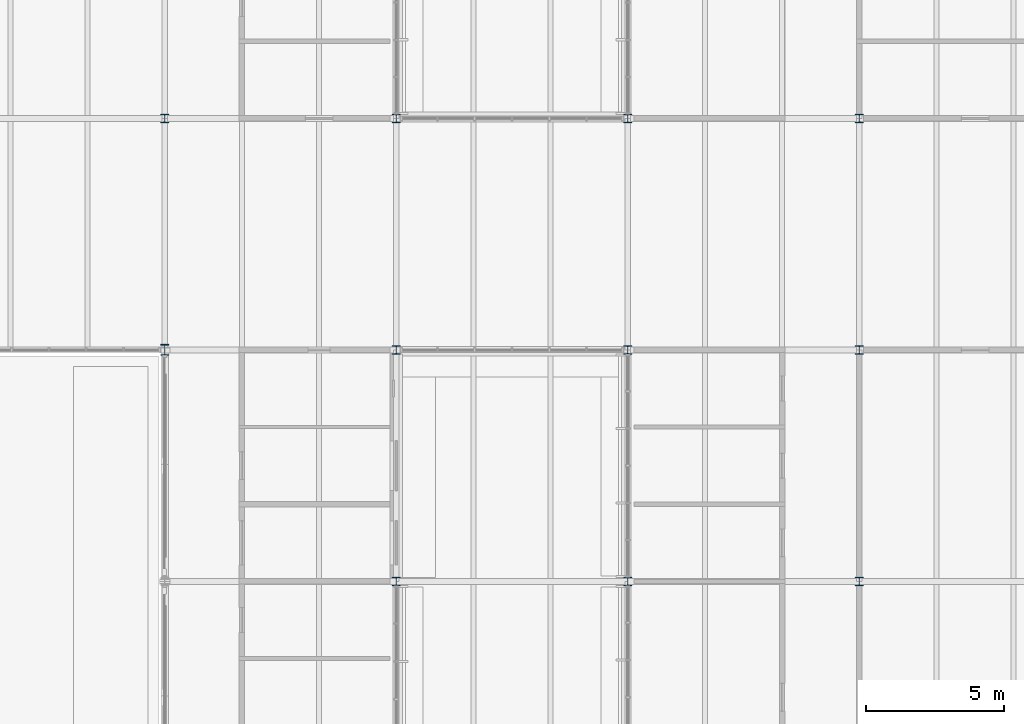
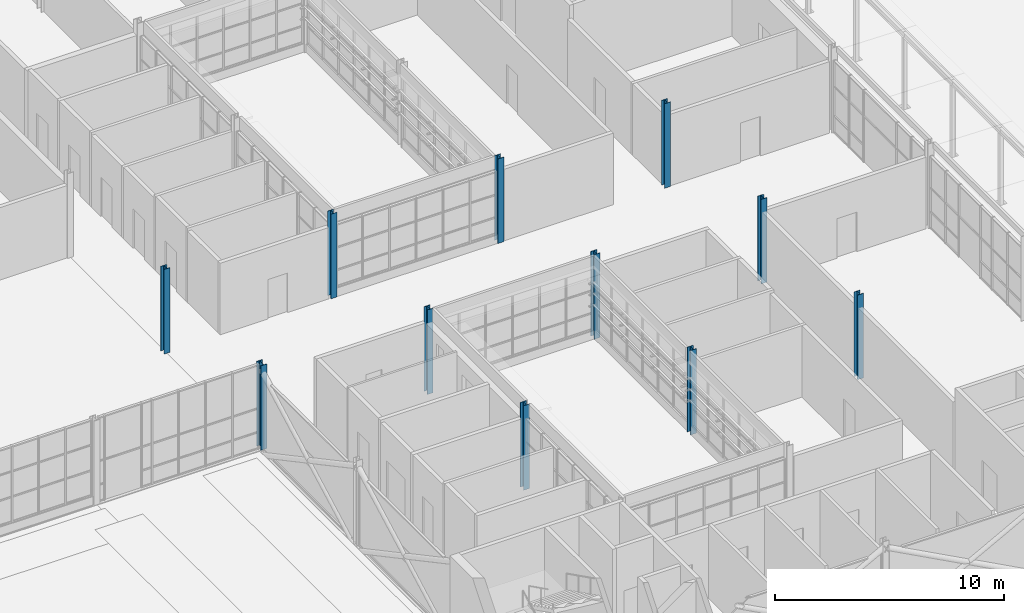
# One storey, part 12 of 116: 11 columns.
"""IFC4 building model written with IfcOpenShell, lengths in metres."""

from ifc_helpers import new_model, si_unit, direction, frame, origin, origin_2d, place, context, subcontext, project, spatial, i_section, extrude, material, material_profile, profile_set, type_object, element, save


model = new_model("IFC4")

# Units and contexts
model_context = context("Model", 3, precision=1e-05, world=origin(), true_north=direction((0.0, 1.0)))
body_context = subcontext(model_context, "Body", "Model", "MODEL_VIEW")
ifc_project = project(units=[si_unit("LENGTHUNIT", "METRE"), si_unit("AREAUNIT", "SQUARE_METRE"), si_unit("VOLUMEUNIT", "CUBIC_METRE"), si_unit("PLANEANGLEUNIT", "RADIAN"), si_unit("MASSUNIT", "GRAM", prefix="KILO")], contexts=[model_context])

# Site, building, storey
site_placement = place(None, origin())
site = spatial("IfcSite", under=ifc_project, at=site_placement, CompositionType="ELEMENT")
building_placement = place(site_placement, origin())
building = spatial("IfcBuilding", under=site, at=building_placement, Name="Ardhachandra Cancer Care Centre", CompositionType="ELEMENT")
storey_placement = place(building_placement, origin())
storey = spatial("IfcBuildingStorey", under=building, at=storey_placement, Name="L00", CompositionType="ELEMENT", Elevation=0.0)

# Columns
ifc_material_1 = material(Name="Steel E350 (IS 2062)", Category="steel")
ifc_material_profile_1 = material_profile(ifc_material_1, i_section(OverallWidth=0.300048828125, OverallDepth=0.300048828125, WebThickness=0.010986328125, FlangeThickness=0.01904296875, FilletRadius=0.027099609375, at=origin_2d()), Name="WPB 300x300x117.03")
ifc_profile_set_1 = profile_set([ifc_material_profile_1], Name="Steel E350 (IS 2062)")
column_type_1 = type_object("IfcColumnType", Name="Column WPB 300x300x117.03", PredefinedType="COLUMN", material=ifc_profile_set_1)
for number, where, z_axis, x_axis, name in (
    (1, (120.0, 46.199951171875, 0.0), (0.0, 0.0, 1.0), (1.0, 0.0, 0.0), "Column E14 L00"),
    (2, (128.39990234375, 46.199951171875, 0.0), (0.0, 0.0, 1.0), (1.0, 0.0, 0.0), "Column E15 L00"),
    (3, (136.800048828125, 46.199951171875, 0.0), (0.0, 0.0, 1.0), (1.0, 0.0, 0.0), "Column E16 L00"),
    (4, (120.0, 54.60009765625, 0.0), (0.0, 0.0, 1.0), (1.0, 0.0, 0.0), "Column F14 L00"),
    (5, (128.39990234375, 54.60009765625, 0.0), (0.0, 0.0, 1.0), (1.0, 0.0, 0.0), "Column F15 L00"),
    (6, (136.800048828125, 54.60009765625, 0.0), (0.0, 0.0, 1.0), (1.0, 0.0, 0.0), "Column F16 L00"),
    (7, (111.60009765625, 63.0, 0.0), (0.0, 0.0, 1.0), (1.0, 0.0, 0.0), "Column G13 L00"),
    (8, (120.0, 63.0, 0.0), (0.0, 0.0, 1.0), (1.0, 0.0, 0.0), "Column G14 L00"),
    (9, (128.39990234375, 63.0, 0.0), (0.0, 0.0, 1.0), (1.0, 0.0, 0.0), "Column G15 L00"),
    (10, (136.800048828125, 63.0, 0.0), (0.0, 0.0, 1.0), (1.0, 0.0, 0.0), "Column G16 L00"),
):
    element("IfcColumn", number, at=place(storey_placement, frame(where, z_axis=z_axis, x_axis=x_axis)), inside=storey, type_object=column_type_1, Name=name, PredefinedType="COLUMN", context=body_context, shape_type="SweptSolid", body=[
        extrude(i_section(OverallWidth=0.300048828125, OverallDepth=0.300048828125, WebThickness=0.010986328125, FlangeThickness=0.01904296875, FilletRadius=0.027099609375, at=origin_2d()), origin(), (0.0, 0.0, 1.0), 4.5),
    ])
ifc_material_2 = material(Name="Steel E350 (IS 2062)", Category="steel")
ifc_material_profile_2 = material_profile(ifc_material_2, i_section(OverallWidth=0.300048828125, OverallDepth=0.39990234375, WebThickness=0.013427734375, FlangeThickness=0.02392578125, FilletRadius=0.027099609375, at=origin_2d()), Name="WPB 400x300x155.26")
ifc_profile_set_2 = profile_set([ifc_material_profile_2], Name="Steel E350 (IS 2062)")
column_type_2 = type_object("IfcColumnType", Name="Column WPB 400x300x155.26", PredefinedType="COLUMN", material=ifc_profile_set_2)
column_placement = place(storey_placement, frame((111.60009765625, 54.60009765625, 0.0), z_axis=(0.0, 0.0, 1.0), x_axis=(1.0, 0.0, 0.0)))
element("IfcColumn", 11, at=column_placement, inside=storey, type_object=column_type_2, Name="Column F13 L00", PredefinedType="COLUMN", context=body_context, shape_type="SweptSolid", body=[
    extrude(i_section(OverallWidth=0.300048828125, OverallDepth=0.39990234375, WebThickness=0.013427734375, FlangeThickness=0.02392578125, FilletRadius=0.027099609375, at=origin_2d()), origin(), (0.0, 0.0, 1.0), 4.5),
])

save(model, "model.ifc")
